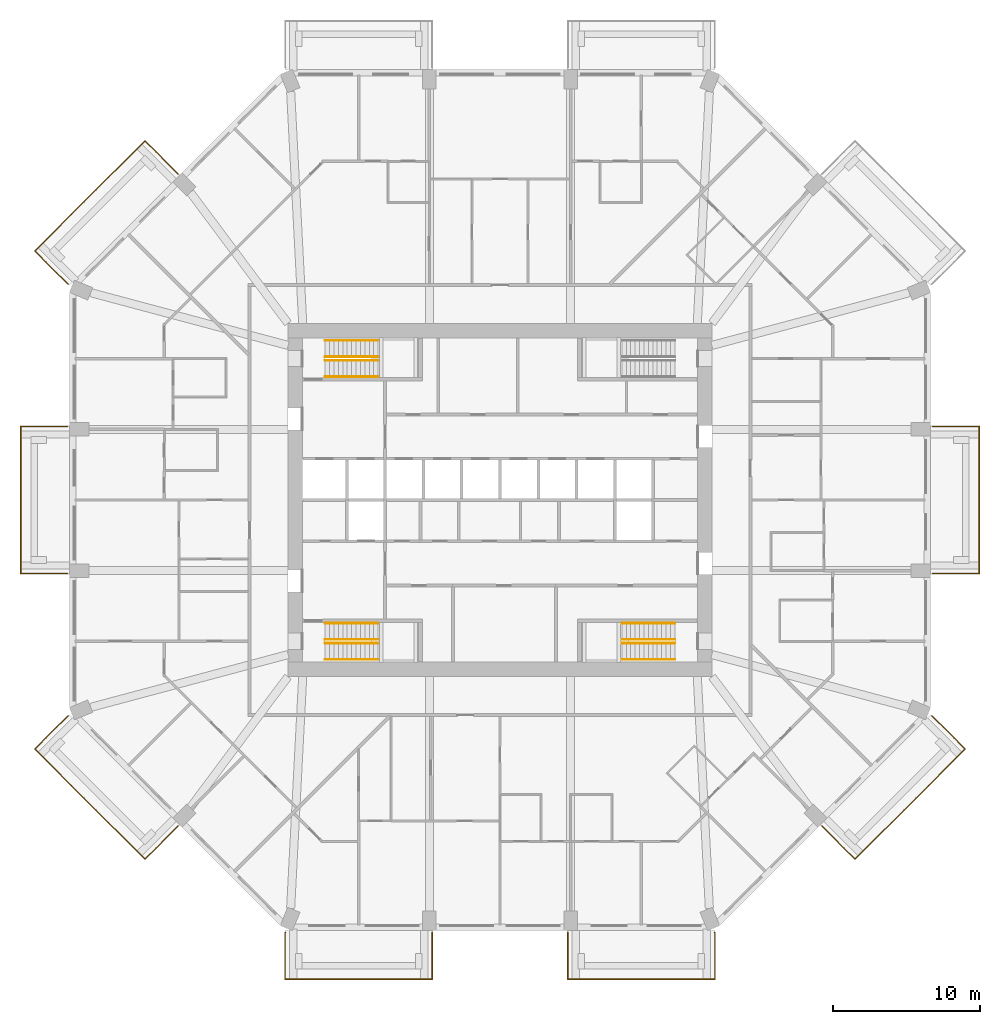
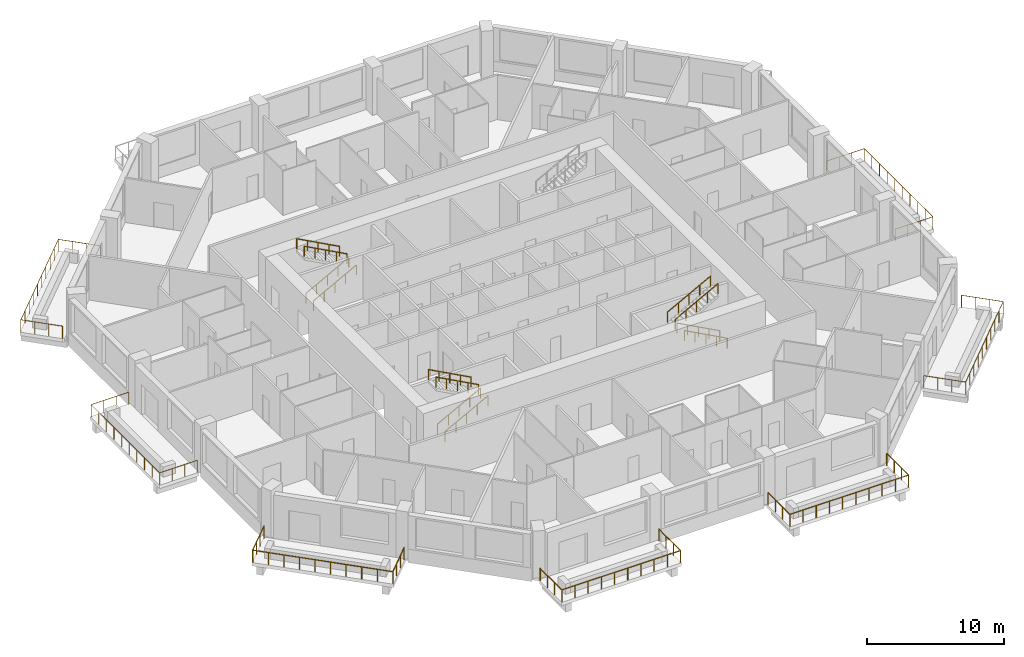
# One storey, part 12 of 13: 19 railings.
"""IFC4 building model written with IfcOpenShell, lengths in metres."""

from ifc_helpers import new_model, si_unit, direction, frame, origin, origin_2d, place, context, subcontext, project, spatial, circle, extrude, material, constituent, constituent_set, type_object, element, save


model = new_model("IFC4")

# Units and contexts
model_context = context("Model", 3, precision=1e-05, world=origin(), true_north=direction((0.0, 1.0)))
body_context = subcontext(model_context, "Body", "Model", "MODEL_VIEW")
ifc_project = project(units=[si_unit("LENGTHUNIT", "METRE"), si_unit("AREAUNIT", "SQUARE_METRE"), si_unit("VOLUMEUNIT", "CUBIC_METRE"), si_unit("PLANEANGLEUNIT", "RADIAN"), si_unit("MASSUNIT", "GRAM", prefix="KILO")], contexts=[model_context])

# Site, building, storey
site_placement = place(None, origin())
site = spatial("IfcSite", under=ifc_project, at=site_placement, CompositionType="ELEMENT")
building_placement = place(site_placement, origin())
building = spatial("IfcBuilding", under=site, at=building_placement, Name="Msitu Wima Residences", CompositionType="ELEMENT")
storey_placement = place(building_placement, frame((0.0, 0.0, 71.699951171875)))
storey = spatial("IfcBuildingStorey", under=building, at=storey_placement, Name="L16", CompositionType="ELEMENT", Elevation=71.699951171875)

# Railings
ifc_material_1 = material(Name="Steel S355", Category="steel")
ifc_constituent_1 = constituent(ifc_material_1, Name="Steel S355")
ifc_material_2 = material(Name="Weathering patina")
ifc_constituent_2 = constituent(ifc_material_2, Name="Weathering patina")
ifc_constituent_set_1 = constituent_set(constituents=[ifc_constituent_1, ifc_constituent_2], Name="Steel S355")
railing_type_1 = type_object("IfcRailingType", Name="Balcony guard GR1100", PredefinedType="GUARDRAIL", material=ifc_constituent_set_1)
railing_1_placement = place(storey_placement, frame((29.3798828125, 5.0, 0.0)))
element("IfcRailing", 1, at=railing_1_placement, inside=storey, type_object=railing_type_1, Name="Balcony guard E1 L16", PredefinedType="GUARDRAIL", context=body_context, shape_type="SweptSolid", body=[
    extrude(circle(Radius=0.02392578125, at=origin_2d()), frame((0.0, 0.0, 1.076171875), z_axis=(1.0, 0.0, 0.0), x_axis=(0.0, 1.0, 0.0)), (0.0, 0.0, 1.0), 3.170166015625),
    extrude(circle(Radius=0.02392578125, at=origin_2d()), frame((3.170166015625, 0.0, 1.076171875), z_axis=(0.0, -1.0, 0.0), x_axis=(1.0, 0.0, 0.0)), (0.0, 0.0, 1.0), 10.0),
    extrude(circle(Radius=0.02392578125, at=origin_2d()), frame((3.170166015625, -10.0, 1.076171875), z_axis=(-1.0, 0.0, 0.0), x_axis=(0.0, -1.0, 0.0)), (0.0, 0.0, 1.0), 3.170166015625),
    extrude(circle(Radius=0.02099609375, at=origin_2d()), origin(), (0.0, 0.0, 1.0), 1.052001953125),
    extrude(circle(Radius=0.02099609375, at=origin_2d()), frame((1.056640625, 0.0, 0.0)), (0.0, 0.0, 1.0), 1.052001953125),
    extrude(circle(Radius=0.02099609375, at=origin_2d()), frame((2.113525390625, 0.0, 0.0)), (0.0, 0.0, 1.0), 1.052001953125),
    extrude(circle(Radius=0.02099609375, at=origin_2d()), frame((3.170166015625, 0.0, 0.0)), (0.0, 0.0, 1.0), 1.052001953125),
    extrude(circle(Radius=0.02099609375, at=origin_2d()), frame((3.170166015625, -1.111083984375, 0.0)), (0.0, 0.0, 1.0), 1.052001953125),
    extrude(circle(Radius=0.02099609375, at=origin_2d()), frame((3.170166015625, -2.22216796875, 0.0)), (0.0, 0.0, 1.0), 1.052001953125),
    extrude(circle(Radius=0.02099609375, at=origin_2d()), frame((3.170166015625, -3.333251953125, 0.0)), (0.0, 0.0, 1.0), 1.052001953125),
    extrude(circle(Radius=0.02099609375, at=origin_2d()), frame((3.170166015625, -4.4443359375, 0.0)), (0.0, 0.0, 1.0), 1.052001953125),
    extrude(circle(Radius=0.02099609375, at=origin_2d()), frame((3.170166015625, -5.5556640625, 0.0)), (0.0, 0.0, 1.0), 1.052001953125),
    extrude(circle(Radius=0.02099609375, at=origin_2d()), frame((3.170166015625, -6.666748046875, 0.0)), (0.0, 0.0, 1.0), 1.052001953125),
    extrude(circle(Radius=0.02099609375, at=origin_2d()), frame((3.170166015625, -7.77783203125, 0.0)), (0.0, 0.0, 1.0), 1.052001953125),
    extrude(circle(Radius=0.02099609375, at=origin_2d()), frame((3.170166015625, -8.888916015625, 0.0)), (0.0, 0.0, 1.0), 1.052001953125),
    extrude(circle(Radius=0.02099609375, at=origin_2d()), frame((3.170166015625, -10.0, 0.0)), (0.0, 0.0, 1.0), 1.052001953125),
    extrude(circle(Radius=0.02099609375, at=origin_2d()), frame((2.113525390625, -10.0, 0.0)), (0.0, 0.0, 1.0), 1.052001953125),
    extrude(circle(Radius=0.02099609375, at=origin_2d()), frame((1.056640625, -10.0, 0.0)), (0.0, 0.0, 1.0), 1.052001953125),
    extrude(circle(Radius=0.02099609375, at=origin_2d()), frame((0.0, -10.0, 0.0)), (0.0, 0.0, 1.0), 1.052001953125),
])
railing_2_placement = place(storey_placement, frame((-29.341796875, 14.678466796875, 0.0)))
element("IfcRailing", 2, at=railing_2_placement, inside=storey, type_object=railing_type_1, Name="Balcony guard NW1 L16", PredefinedType="GUARDRAIL", context=body_context, shape_type="SweptSolid", body=[
    extrude(circle(Radius=0.02392578125, at=origin_2d()), frame((0.0, 0.0, 1.076171875), z_axis=(-0.923276184907, 0.384136806859, 0.0), x_axis=(-0.384136806859, -0.923276184907, 0.0)), (0.0, 0.0, 1.0), 0.0361328125),
    extrude(circle(Radius=0.02392578125, at=origin_2d()), frame((-0.033447265625, 0.013916015625, 1.076171875), z_axis=(-0.707106781187, 0.707106781187, 0.0), x_axis=(-0.707106781187, -0.707106781187, 0.0)), (0.0, 0.0, 1.0), 3.136474609375),
    extrude(circle(Radius=0.02392578125, at=origin_2d()), frame((-2.251220703125, 2.231689453125, 1.076171875), z_axis=(0.70709524572, 0.707118316465, 0.0), x_axis=(-0.707118316465, 0.70709524572, 0.0)), (0.0, 0.0, 1.0), 10.582275390625),
    extrude(circle(Radius=0.02392578125, at=origin_2d()), frame((5.2314453125, 9.714599609375, 1.076171875), z_axis=(0.707145287287, -0.707068272989, 0.0), x_axis=(0.707068272989, 0.707145287287, 0.0)), (0.0, 0.0, 1.0), 3.170166015625),
    extrude(circle(Radius=0.02099609375, at=origin_2d()), origin(), (0.0, 0.0, 1.0), 1.052001953125),
    extrude(circle(Radius=0.02099609375, at=origin_2d()), frame((-0.033447265625, 0.013916015625, 0.0)), (0.0, 0.0, 1.0), 1.052001953125),
    extrude(circle(Radius=0.02099609375, at=origin_2d()), frame((-0.772705078125, 0.753173828125, 0.0)), (0.0, 0.0, 1.0), 1.052001953125),
    extrude(circle(Radius=0.02099609375, at=origin_2d()), frame((-1.511962890625, 1.492431640625, 0.0)), (0.0, 0.0, 1.0), 1.052001953125),
    extrude(circle(Radius=0.02099609375, at=origin_2d()), frame((-2.251220703125, 2.231689453125, 0.0)), (0.0, 0.0, 1.0), 1.052001953125),
    extrude(circle(Radius=0.02099609375, at=origin_2d()), frame((-1.419921875, 3.063232421875, 0.0)), (0.0, 0.0, 1.0), 1.052001953125),
    extrude(circle(Radius=0.02099609375, at=origin_2d()), frame((-0.58837890625, 3.89453125, 0.0)), (0.0, 0.0, 1.0), 1.052001953125),
    extrude(circle(Radius=0.02099609375, at=origin_2d()), frame((0.242919921875, 4.72607421875, 0.0)), (0.0, 0.0, 1.0), 1.052001953125),
    extrude(circle(Radius=0.02099609375, at=origin_2d()), frame((1.074462890625, 5.557373046875, 0.0)), (0.0, 0.0, 1.0), 1.052001953125),
    extrude(circle(Radius=0.02099609375, at=origin_2d()), frame((1.90576171875, 6.388916015625, 0.0)), (0.0, 0.0, 1.0), 1.052001953125),
    extrude(circle(Radius=0.02099609375, at=origin_2d()), frame((2.7373046875, 7.22021484375, 0.0)), (0.0, 0.0, 1.0), 1.052001953125),
    extrude(circle(Radius=0.02099609375, at=origin_2d()), frame((3.568603515625, 8.0517578125, 0.0)), (0.0, 0.0, 1.0), 1.052001953125),
    extrude(circle(Radius=0.02099609375, at=origin_2d()), frame((4.400146484375, 8.883056640625, 0.0)), (0.0, 0.0, 1.0), 1.052001953125),
    extrude(circle(Radius=0.02099609375, at=origin_2d()), frame((5.2314453125, 9.714599609375, 0.0)), (0.0, 0.0, 1.0), 1.052001953125),
    extrude(circle(Radius=0.02099609375, at=origin_2d()), frame((5.978759765625, 8.967529296875, 0.0)), (0.0, 0.0, 1.0), 1.052001953125),
    extrude(circle(Radius=0.02099609375, at=origin_2d()), frame((6.725830078125, 8.22021484375, 0.0)), (0.0, 0.0, 1.0), 1.052001953125),
    extrude(circle(Radius=0.02099609375, at=origin_2d()), frame((7.47314453125, 7.47314453125, 0.0)), (0.0, 0.0, 1.0), 1.052001953125),
])
railing_3_placement = place(storey_placement, frame((-29.3798828125, -5.0, 0.0)))
element("IfcRailing", 3, at=railing_3_placement, inside=storey, type_object=railing_type_1, Name="Balcony guard W1 L16", PredefinedType="GUARDRAIL", context=body_context, shape_type="SweptSolid", body=[
    extrude(circle(Radius=0.02392578125, at=origin_2d()), frame((0.0, 0.0, 1.076171875), z_axis=(-1.0, 0.0, 0.0), x_axis=(0.0, -1.0, 0.0)), (0.0, 0.0, 1.0), 3.170166015625),
    extrude(circle(Radius=0.02392578125, at=origin_2d()), frame((-3.170166015625, 0.0, 1.076171875), z_axis=(0.0, 1.0, 0.0), x_axis=(-1.0, 0.0, 0.0)), (0.0, 0.0, 1.0), 10.0),
    extrude(circle(Radius=0.02392578125, at=origin_2d()), frame((-3.170166015625, 10.0, 1.076171875), z_axis=(1.0, 0.0, 0.0), x_axis=(0.0, 1.0, 0.0)), (0.0, 0.0, 1.0), 3.170166015625),
    extrude(circle(Radius=0.02099609375, at=origin_2d()), origin(), (0.0, 0.0, 1.0), 1.052001953125),
    extrude(circle(Radius=0.02099609375, at=origin_2d()), frame((-1.056640625, 0.0, 0.0)), (0.0, 0.0, 1.0), 1.052001953125),
    extrude(circle(Radius=0.02099609375, at=origin_2d()), frame((-2.113525390625, 0.0, 0.0)), (0.0, 0.0, 1.0), 1.052001953125),
    extrude(circle(Radius=0.02099609375, at=origin_2d()), frame((-3.170166015625, 0.0, 0.0)), (0.0, 0.0, 1.0), 1.052001953125),
    extrude(circle(Radius=0.02099609375, at=origin_2d()), frame((-3.170166015625, 1.111083984375, 0.0)), (0.0, 0.0, 1.0), 1.052001953125),
    extrude(circle(Radius=0.02099609375, at=origin_2d()), frame((-3.170166015625, 2.22216796875, 0.0)), (0.0, 0.0, 1.0), 1.052001953125),
    extrude(circle(Radius=0.02099609375, at=origin_2d()), frame((-3.170166015625, 3.333251953125, 0.0)), (0.0, 0.0, 1.0), 1.052001953125),
    extrude(circle(Radius=0.02099609375, at=origin_2d()), frame((-3.170166015625, 4.4443359375, 0.0)), (0.0, 0.0, 1.0), 1.052001953125),
    extrude(circle(Radius=0.02099609375, at=origin_2d()), frame((-3.170166015625, 5.5556640625, 0.0)), (0.0, 0.0, 1.0), 1.052001953125),
    extrude(circle(Radius=0.02099609375, at=origin_2d()), frame((-3.170166015625, 6.666748046875, 0.0)), (0.0, 0.0, 1.0), 1.052001953125),
    extrude(circle(Radius=0.02099609375, at=origin_2d()), frame((-3.170166015625, 7.77783203125, 0.0)), (0.0, 0.0, 1.0), 1.052001953125),
    extrude(circle(Radius=0.02099609375, at=origin_2d()), frame((-3.170166015625, 8.888916015625, 0.0)), (0.0, 0.0, 1.0), 1.052001953125),
    extrude(circle(Radius=0.02099609375, at=origin_2d()), frame((-3.170166015625, 10.0, 0.0)), (0.0, 0.0, 1.0), 1.052001953125),
    extrude(circle(Radius=0.02099609375, at=origin_2d()), frame((-2.113525390625, 10.0, 0.0)), (0.0, 0.0, 1.0), 1.052001953125),
    extrude(circle(Radius=0.02099609375, at=origin_2d()), frame((-1.056640625, 10.0, 0.0)), (0.0, 0.0, 1.0), 1.052001953125),
    extrude(circle(Radius=0.02099609375, at=origin_2d()), frame((0.0, 10.0, 0.0)), (0.0, 0.0, 1.0), 1.052001953125),
])
railing_4_placement = place(storey_placement, frame((-21.86865234375, -22.151611328125, 0.0)))
element("IfcRailing", 4, at=railing_4_placement, inside=storey, type_object=railing_type_1, Name="Balcony guard SW0 L16", PredefinedType="GUARDRAIL", context=body_context, shape_type="SweptSolid", body=[
    extrude(circle(Radius=0.02392578125, at=origin_2d()), frame((0.0, 0.0, 1.076171875), z_axis=(-0.707145287287, -0.707068272989, 0.0), x_axis=(0.707068272989, -0.707145287287, 0.0)), (0.0, 0.0, 1.0), 3.170166015625),
    extrude(circle(Radius=0.02392578125, at=origin_2d()), frame((-2.24169921875, -2.241455078125, 1.076171875), z_axis=(-0.70709524572, 0.707118316465, 0.0), x_axis=(-0.707118316465, -0.70709524572, 0.0)), (0.0, 0.0, 1.0), 10.582275390625),
    extrude(circle(Radius=0.02392578125, at=origin_2d()), frame((-9.724365234375, 5.241455078125, 1.076171875), z_axis=(0.707106781187, 0.707106781187, 0.0), x_axis=(-0.707106781187, 0.707106781187, 0.0)), (0.0, 0.0, 1.0), 3.136474609375),
    extrude(circle(Radius=0.02392578125, at=origin_2d()), frame((-7.506591796875, 7.459228515625, 1.076171875), z_axis=(0.923276184907, 0.384136806859, 0.0), x_axis=(-0.384136806859, 0.923276184907, 0.0)), (0.0, 0.0, 1.0), 0.0361328125),
    extrude(circle(Radius=0.02099609375, at=origin_2d()), origin(), (0.0, 0.0, 1.0), 1.052001953125),
    extrude(circle(Radius=0.02099609375, at=origin_2d()), frame((-0.747314453125, -0.7470703125, 0.0)), (0.0, 0.0, 1.0), 1.052001953125),
    extrude(circle(Radius=0.02099609375, at=origin_2d()), frame((-1.494384765625, -1.494384765625, 0.0)), (0.0, 0.0, 1.0), 1.052001953125),
    extrude(circle(Radius=0.02099609375, at=origin_2d()), frame((-2.24169921875, -2.241455078125, 0.0)), (0.0, 0.0, 1.0), 1.052001953125),
    extrude(circle(Radius=0.02099609375, at=origin_2d()), frame((-3.072998046875, -1.409912109375, 0.0)), (0.0, 0.0, 1.0), 1.052001953125),
    extrude(circle(Radius=0.02099609375, at=origin_2d()), frame((-3.904541015625, -0.57861328125, 0.0)), (0.0, 0.0, 1.0), 1.052001953125),
    extrude(circle(Radius=0.02099609375, at=origin_2d()), frame((-4.73583984375, 0.2529296875, 0.0)), (0.0, 0.0, 1.0), 1.052001953125),
    extrude(circle(Radius=0.02099609375, at=origin_2d()), frame((-5.5673828125, 1.084228515625, 0.0)), (0.0, 0.0, 1.0), 1.052001953125),
    extrude(circle(Radius=0.02099609375, at=origin_2d()), frame((-6.398681640625, 1.915771484375, 0.0)), (0.0, 0.0, 1.0), 1.052001953125),
    extrude(circle(Radius=0.02099609375, at=origin_2d()), frame((-7.230224609375, 2.7470703125, 0.0)), (0.0, 0.0, 1.0), 1.052001953125),
    extrude(circle(Radius=0.02099609375, at=origin_2d()), frame((-8.0615234375, 3.57861328125, 0.0)), (0.0, 0.0, 1.0), 1.052001953125),
    extrude(circle(Radius=0.02099609375, at=origin_2d()), frame((-8.89306640625, 4.409912109375, 0.0)), (0.0, 0.0, 1.0), 1.052001953125),
    extrude(circle(Radius=0.02099609375, at=origin_2d()), frame((-9.724365234375, 5.241455078125, 0.0)), (0.0, 0.0, 1.0), 1.052001953125),
    extrude(circle(Radius=0.02099609375, at=origin_2d()), frame((-8.985107421875, 5.980712890625, 0.0)), (0.0, 0.0, 1.0), 1.052001953125),
    extrude(circle(Radius=0.02099609375, at=origin_2d()), frame((-8.245849609375, 6.719970703125, 0.0)), (0.0, 0.0, 1.0), 1.052001953125),
    extrude(circle(Radius=0.02099609375, at=origin_2d()), frame((-7.506591796875, 7.459228515625, 0.0)), (0.0, 0.0, 1.0), 1.052001953125),
    extrude(circle(Radius=0.02099609375, at=origin_2d()), frame((-7.47314453125, 7.47314453125, 0.0)), (0.0, 0.0, 1.0), 1.052001953125),
])
railing_5_placement = place(storey_placement, frame((-4.60009765625, -29.3798828125, 0.0)))
element("IfcRailing", 5, at=railing_5_placement, inside=storey, type_object=railing_type_1, Name="Balcony guard S0 L16", PredefinedType="GUARDRAIL", context=body_context, shape_type="SweptSolid", body=[
    extrude(circle(Radius=0.02392578125, at=origin_2d()), frame((0.0, 0.0, 1.076171875), z_axis=(0.0, -1.0, 0.0), x_axis=(1.0, 0.0, 0.0)), (0.0, 0.0, 1.0), 3.170166015625),
    extrude(circle(Radius=0.02392578125, at=origin_2d()), frame((0.0, -3.170166015625, 1.076171875), z_axis=(-1.0, 0.0, 0.0), x_axis=(0.0, -1.0, 0.0)), (0.0, 0.0, 1.0), 10.0),
    extrude(circle(Radius=0.02392578125, at=origin_2d()), frame((-10.0, -3.170166015625, 1.076171875), z_axis=(0.0, 1.0, 0.0), x_axis=(-1.0, 0.0, 0.0)), (0.0, 0.0, 1.0), 3.136474609375),
    extrude(circle(Radius=0.02392578125, at=origin_2d()), frame((-10.0, -0.03369140625, 1.076171875), z_axis=(0.38176015442, 0.92426142649, 0.0), x_axis=(-0.92426142649, 0.38176015442, 0.0)), (0.0, 0.0, 1.0), 0.036376953125),
    extrude(circle(Radius=0.02099609375, at=origin_2d()), origin(), (0.0, 0.0, 1.0), 1.052001953125),
    extrude(circle(Radius=0.02099609375, at=origin_2d()), frame((0.0, -1.056640625, 0.0)), (0.0, 0.0, 1.0), 1.052001953125),
    extrude(circle(Radius=0.02099609375, at=origin_2d()), frame((0.0, -2.113525390625, 0.0)), (0.0, 0.0, 1.0), 1.052001953125),
    extrude(circle(Radius=0.02099609375, at=origin_2d()), frame((0.0, -3.170166015625, 0.0)), (0.0, 0.0, 1.0), 1.052001953125),
    extrude(circle(Radius=0.02099609375, at=origin_2d()), frame((-1.111083984375, -3.170166015625, 0.0)), (0.0, 0.0, 1.0), 1.052001953125),
    extrude(circle(Radius=0.02099609375, at=origin_2d()), frame((-2.22216796875, -3.170166015625, 0.0)), (0.0, 0.0, 1.0), 1.052001953125),
    extrude(circle(Radius=0.02099609375, at=origin_2d()), frame((-3.333251953125, -3.170166015625, 0.0)), (0.0, 0.0, 1.0), 1.052001953125),
    extrude(circle(Radius=0.02099609375, at=origin_2d()), frame((-4.4443359375, -3.170166015625, 0.0)), (0.0, 0.0, 1.0), 1.052001953125),
    extrude(circle(Radius=0.02099609375, at=origin_2d()), frame((-5.5556640625, -3.170166015625, 0.0)), (0.0, 0.0, 1.0), 1.052001953125),
    extrude(circle(Radius=0.02099609375, at=origin_2d()), frame((-6.666748046875, -3.170166015625, 0.0)), (0.0, 0.0, 1.0), 1.052001953125),
    extrude(circle(Radius=0.02099609375, at=origin_2d()), frame((-7.77783203125, -3.170166015625, 0.0)), (0.0, 0.0, 1.0), 1.052001953125),
    extrude(circle(Radius=0.02099609375, at=origin_2d()), frame((-8.888916015625, -3.170166015625, 0.0)), (0.0, 0.0, 1.0), 1.052001953125),
    extrude(circle(Radius=0.02099609375, at=origin_2d()), frame((-10.0, -3.170166015625, 0.0)), (0.0, 0.0, 1.0), 1.052001953125),
    extrude(circle(Radius=0.02099609375, at=origin_2d()), frame((-10.0, -2.124755859375, 0.0)), (0.0, 0.0, 1.0), 1.052001953125),
    extrude(circle(Radius=0.02099609375, at=origin_2d()), frame((-10.0, -1.0791015625, 0.0)), (0.0, 0.0, 1.0), 1.052001953125),
    extrude(circle(Radius=0.02099609375, at=origin_2d()), frame((-10.0, -0.03369140625, 0.0)), (0.0, 0.0, 1.0), 1.052001953125),
    extrude(circle(Radius=0.02099609375, at=origin_2d()), frame((-9.986083984375, 0.0, 0.0)), (0.0, 0.0, 1.0), 1.052001953125),
])
railing_6_placement = place(storey_placement, frame((14.586181640625, -29.3798828125, 0.0)))
element("IfcRailing", 6, at=railing_6_placement, inside=storey, type_object=railing_type_1, Name="Balcony guard S2 L16", PredefinedType="GUARDRAIL", context=body_context, shape_type="SweptSolid", body=[
    extrude(circle(Radius=0.02392578125, at=origin_2d()), frame((0.0, 0.0, 1.076171875), z_axis=(0.38176015442, -0.92426142649, 0.0), x_axis=(0.92426142649, 0.38176015442, 0.0)), (0.0, 0.0, 1.0), 0.036376953125),
    extrude(circle(Radius=0.02392578125, at=origin_2d()), frame((0.013916015625, -0.03369140625, 1.076171875), z_axis=(0.0, -1.0, 0.0), x_axis=(1.0, 0.0, 0.0)), (0.0, 0.0, 1.0), 3.136474609375),
    extrude(circle(Radius=0.02392578125, at=origin_2d()), frame((0.013916015625, -3.170166015625, 1.076171875), z_axis=(-1.0, 0.0, 0.0), x_axis=(0.0, -1.0, 0.0)), (0.0, 0.0, 1.0), 10.0),
    extrude(circle(Radius=0.02392578125, at=origin_2d()), frame((-9.986083984375, -3.170166015625, 1.076171875), z_axis=(0.0, 1.0, 0.0), x_axis=(-1.0, 0.0, 0.0)), (0.0, 0.0, 1.0), 3.170166015625),
    extrude(circle(Radius=0.02099609375, at=origin_2d()), origin(), (0.0, 0.0, 1.0), 1.052001953125),
    extrude(circle(Radius=0.02099609375, at=origin_2d()), frame((0.013916015625, -0.03369140625, 0.0)), (0.0, 0.0, 1.0), 1.052001953125),
    extrude(circle(Radius=0.02099609375, at=origin_2d()), frame((0.013916015625, -1.0791015625, 0.0)), (0.0, 0.0, 1.0), 1.052001953125),
    extrude(circle(Radius=0.02099609375, at=origin_2d()), frame((0.013916015625, -2.124755859375, 0.0)), (0.0, 0.0, 1.0), 1.052001953125),
    extrude(circle(Radius=0.02099609375, at=origin_2d()), frame((0.013916015625, -3.170166015625, 0.0)), (0.0, 0.0, 1.0), 1.052001953125),
    extrude(circle(Radius=0.02099609375, at=origin_2d()), frame((-1.09716796875, -3.170166015625, 0.0)), (0.0, 0.0, 1.0), 1.052001953125),
    extrude(circle(Radius=0.02099609375, at=origin_2d()), frame((-2.208251953125, -3.170166015625, 0.0)), (0.0, 0.0, 1.0), 1.052001953125),
    extrude(circle(Radius=0.02099609375, at=origin_2d()), frame((-3.3193359375, -3.170166015625, 0.0)), (0.0, 0.0, 1.0), 1.052001953125),
    extrude(circle(Radius=0.02099609375, at=origin_2d()), frame((-4.430419921875, -3.170166015625, 0.0)), (0.0, 0.0, 1.0), 1.052001953125),
    extrude(circle(Radius=0.02099609375, at=origin_2d()), frame((-5.541748046875, -3.170166015625, 0.0)), (0.0, 0.0, 1.0), 1.052001953125),
    extrude(circle(Radius=0.02099609375, at=origin_2d()), frame((-6.65283203125, -3.170166015625, 0.0)), (0.0, 0.0, 1.0), 1.052001953125),
    extrude(circle(Radius=0.02099609375, at=origin_2d()), frame((-7.763916015625, -3.170166015625, 0.0)), (0.0, 0.0, 1.0), 1.052001953125),
    extrude(circle(Radius=0.02099609375, at=origin_2d()), frame((-8.875, -3.170166015625, 0.0)), (0.0, 0.0, 1.0), 1.052001953125),
    extrude(circle(Radius=0.02099609375, at=origin_2d()), frame((-9.986083984375, -3.170166015625, 0.0)), (0.0, 0.0, 1.0), 1.052001953125),
    extrude(circle(Radius=0.02099609375, at=origin_2d()), frame((-9.986083984375, -2.113525390625, 0.0)), (0.0, 0.0, 1.0), 1.052001953125),
    extrude(circle(Radius=0.02099609375, at=origin_2d()), frame((-9.986083984375, -1.056640625, 0.0)), (0.0, 0.0, 1.0), 1.052001953125),
    extrude(circle(Radius=0.02099609375, at=origin_2d()), frame((-9.986083984375, 0.0, 0.0)), (0.0, 0.0, 1.0), 1.052001953125),
])
railing_7_placement = place(storey_placement, frame((29.341796875, -14.678466796875, 0.0)))
element("IfcRailing", 7, at=railing_7_placement, inside=storey, type_object=railing_type_1, Name="Balcony guard SE1 L16", PredefinedType="GUARDRAIL", context=body_context, shape_type="SweptSolid", body=[
    extrude(circle(Radius=0.02392578125, at=origin_2d()), frame((0.0, 0.0, 1.076171875), z_axis=(0.923276184907, -0.384136806859, 0.0), x_axis=(0.384136806859, 0.923276184907, 0.0)), (0.0, 0.0, 1.0), 0.0361328125),
    extrude(circle(Radius=0.02392578125, at=origin_2d()), frame((0.033447265625, -0.013916015625, 1.076171875), z_axis=(0.707106781187, -0.707106781187, 0.0), x_axis=(0.707106781187, 0.707106781187, 0.0)), (0.0, 0.0, 1.0), 3.136474609375),
    extrude(circle(Radius=0.02392578125, at=origin_2d()), frame((2.251220703125, -2.231689453125, 1.076171875), z_axis=(-0.70709524572, -0.707118316465, 0.0), x_axis=(0.707118316465, -0.70709524572, 0.0)), (0.0, 0.0, 1.0), 10.582275390625),
    extrude(circle(Radius=0.02392578125, at=origin_2d()), frame((-5.2314453125, -9.714599609375, 1.076171875), z_axis=(-0.707145287287, 0.707068272989, 0.0), x_axis=(-0.707068272989, -0.707145287287, 0.0)), (0.0, 0.0, 1.0), 3.170166015625),
    extrude(circle(Radius=0.02099609375, at=origin_2d()), origin(), (0.0, 0.0, 1.0), 1.052001953125),
    extrude(circle(Radius=0.02099609375, at=origin_2d()), frame((0.033447265625, -0.013916015625, 0.0)), (0.0, 0.0, 1.0), 1.052001953125),
    extrude(circle(Radius=0.02099609375, at=origin_2d()), frame((0.772705078125, -0.753173828125, 0.0)), (0.0, 0.0, 1.0), 1.052001953125),
    extrude(circle(Radius=0.02099609375, at=origin_2d()), frame((1.511962890625, -1.492431640625, 0.0)), (0.0, 0.0, 1.0), 1.052001953125),
    extrude(circle(Radius=0.02099609375, at=origin_2d()), frame((2.251220703125, -2.231689453125, 0.0)), (0.0, 0.0, 1.0), 1.052001953125),
    extrude(circle(Radius=0.02099609375, at=origin_2d()), frame((1.419921875, -3.063232421875, 0.0)), (0.0, 0.0, 1.0), 1.052001953125),
    extrude(circle(Radius=0.02099609375, at=origin_2d()), frame((0.58837890625, -3.89453125, 0.0)), (0.0, 0.0, 1.0), 1.052001953125),
    extrude(circle(Radius=0.02099609375, at=origin_2d()), frame((-0.242919921875, -4.72607421875, 0.0)), (0.0, 0.0, 1.0), 1.052001953125),
    extrude(circle(Radius=0.02099609375, at=origin_2d()), frame((-1.074462890625, -5.557373046875, 0.0)), (0.0, 0.0, 1.0), 1.052001953125),
    extrude(circle(Radius=0.02099609375, at=origin_2d()), frame((-1.90576171875, -6.388916015625, 0.0)), (0.0, 0.0, 1.0), 1.052001953125),
    extrude(circle(Radius=0.02099609375, at=origin_2d()), frame((-2.7373046875, -7.22021484375, 0.0)), (0.0, 0.0, 1.0), 1.052001953125),
    extrude(circle(Radius=0.02099609375, at=origin_2d()), frame((-3.568603515625, -8.0517578125, 0.0)), (0.0, 0.0, 1.0), 1.052001953125),
    extrude(circle(Radius=0.02099609375, at=origin_2d()), frame((-4.400146484375, -8.883056640625, 0.0)), (0.0, 0.0, 1.0), 1.052001953125),
    extrude(circle(Radius=0.02099609375, at=origin_2d()), frame((-5.2314453125, -9.714599609375, 0.0)), (0.0, 0.0, 1.0), 1.052001953125),
    extrude(circle(Radius=0.02099609375, at=origin_2d()), frame((-5.978759765625, -8.967529296875, 0.0)), (0.0, 0.0, 1.0), 1.052001953125),
    extrude(circle(Radius=0.02099609375, at=origin_2d()), frame((-6.725830078125, -8.22021484375, 0.0)), (0.0, 0.0, 1.0), 1.052001953125),
    extrude(circle(Radius=0.02099609375, at=origin_2d()), frame((-7.47314453125, -7.47314453125, 0.0)), (0.0, 0.0, 1.0), 1.052001953125),
])
ifc_constituent_3 = constituent(ifc_material_1, Name="Steel S355")
ifc_material_3 = material(Name="Black powder coating")
ifc_constituent_4 = constituent(ifc_material_3, Name="Black powder coating")
ifc_constituent_set_2 = constituent_set(constituents=[ifc_constituent_3, ifc_constituent_4], Name="Steel S355")
railing_type_2 = type_object("IfcRailingType", Name="Stair handrail HR1", PredefinedType="HANDRAIL", material=ifc_constituent_set_2)
for number, where, name in (
    (8, (-11.875, 8.375, 0.16162109375), "Stair 1 handrail"),
    (9, (-11.875, 9.47509765625, 0.16162109375), "Stair 1 handrail"),
):
    element("IfcRailing", number, at=place(storey_placement, frame(where)), inside=storey, type_object=railing_type_2, Name=name, PredefinedType="HANDRAIL", context=body_context, shape_type="SweptSolid", body=[
        extrude(circle(Radius=0.02392578125, at=origin_2d()), frame((0.0, 0.0, 0.8759765625), z_axis=(0.880474934443, 0.0, 0.474092701714), x_axis=(0.0, 1.0, 0.0)), (0.0, 0.0, 1.0), 4.0888671875),
        extrude(circle(Radius=0.02099609375, at=origin_2d()), origin(), (0.0, 0.0, 1.0), 0.851806640625),
        extrude(circle(Radius=0.02099609375, at=origin_2d()), frame((0.89990234375, 0.0, 0.484619140625)), (0.0, 0.0, 1.0), 0.851806640625),
        extrude(circle(Radius=0.02099609375, at=origin_2d()), frame((1.800048828125, 0.0, 0.96923828125)), (0.0, 0.0, 1.0), 0.851806640625),
        extrude(circle(Radius=0.02099609375, at=origin_2d()), frame((2.7001953125, 0.0, 1.453857421875)), (0.0, 0.0, 1.0), 0.851806640625),
        extrude(circle(Radius=0.02099609375, at=origin_2d()), frame((3.60009765625, 0.0, 1.9384765625)), (0.0, 0.0, 1.0), 0.851806640625),
    ])
for number, where, name in (
    (10, (-8.27490234375, 9.72509765625, 2.261474609375), "Stair 1 handrail"),
    (11, (-8.27490234375, 10.824951171875, 2.261474609375), "Stair 1 handrail"),
):
    element("IfcRailing", number, at=place(storey_placement, frame(where)), inside=storey, type_object=railing_type_2, Name=name, PredefinedType="HANDRAIL", context=body_context, shape_type="SweptSolid", body=[
        extrude(circle(Radius=0.02392578125, at=origin_2d()), frame((0.0, 0.0, 0.8759765625), z_axis=(-0.880474934443, 0.0, 0.474092701714), x_axis=(0.0, -1.0, 0.0)), (0.0, 0.0, 1.0), 4.0888671875),
        extrude(circle(Radius=0.02099609375, at=origin_2d()), origin(), (0.0, 0.0, 1.0), 0.851806640625),
        extrude(circle(Radius=0.02099609375, at=origin_2d()), frame((-0.89990234375, 0.0, 0.484619140625)), (0.0, 0.0, 1.0), 0.851806640625),
        extrude(circle(Radius=0.02099609375, at=origin_2d()), frame((-1.800048828125, 0.0, 0.96923828125)), (0.0, 0.0, 1.0), 0.851806640625),
        extrude(circle(Radius=0.02099609375, at=origin_2d()), frame((-2.7001953125, 0.0, 1.453857421875)), (0.0, 0.0, 1.0), 0.851806640625),
        extrude(circle(Radius=0.02099609375, at=origin_2d()), frame((-3.60009765625, 0.0, 1.9384765625)), (0.0, 0.0, 1.0), 0.851806640625),
    ])
for number, where, name in (
    (12, (-11.875, -10.824951171875, 0.16162109375), "Stair 2 handrail"),
    (13, (-11.875, -9.72509765625, 0.16162109375), "Stair 2 handrail"),
):
    element("IfcRailing", number, at=place(storey_placement, frame(where)), inside=storey, type_object=railing_type_2, Name=name, PredefinedType="HANDRAIL", context=body_context, shape_type="SweptSolid", body=[
        extrude(circle(Radius=0.02392578125, at=origin_2d()), frame((0.0, 0.0, 0.8759765625), z_axis=(0.880474934443, 0.0, 0.474092701714), x_axis=(0.0, 1.0, 0.0)), (0.0, 0.0, 1.0), 4.0888671875),
        extrude(circle(Radius=0.02099609375, at=origin_2d()), origin(), (0.0, 0.0, 1.0), 0.851806640625),
        extrude(circle(Radius=0.02099609375, at=origin_2d()), frame((0.89990234375, 0.0, 0.484619140625)), (0.0, 0.0, 1.0), 0.851806640625),
        extrude(circle(Radius=0.02099609375, at=origin_2d()), frame((1.800048828125, 0.0, 0.96923828125)), (0.0, 0.0, 1.0), 0.851806640625),
        extrude(circle(Radius=0.02099609375, at=origin_2d()), frame((2.7001953125, 0.0, 1.453857421875)), (0.0, 0.0, 1.0), 0.851806640625),
        extrude(circle(Radius=0.02099609375, at=origin_2d()), frame((3.60009765625, 0.0, 1.9384765625)), (0.0, 0.0, 1.0), 0.851806640625),
    ])
for number, where, name in (
    (14, (-8.27490234375, -9.47509765625, 2.261474609375), "Stair 2 handrail"),
    (15, (-8.27490234375, -8.375, 2.261474609375), "Stair 2 handrail"),
    (16, (11.875, -10.824951171875, 0.16162109375), "Stair 4 handrail"),
    (17, (11.875, -9.72509765625, 0.16162109375), "Stair 4 handrail"),
):
    element("IfcRailing", number, at=place(storey_placement, frame(where)), inside=storey, type_object=railing_type_2, Name=name, PredefinedType="HANDRAIL", context=body_context, shape_type="SweptSolid", body=[
        extrude(circle(Radius=0.02392578125, at=origin_2d()), frame((0.0, 0.0, 0.8759765625), z_axis=(-0.880474934443, 0.0, 0.474092701714), x_axis=(0.0, -1.0, 0.0)), (0.0, 0.0, 1.0), 4.0888671875),
        extrude(circle(Radius=0.02099609375, at=origin_2d()), origin(), (0.0, 0.0, 1.0), 0.851806640625),
        extrude(circle(Radius=0.02099609375, at=origin_2d()), frame((-0.89990234375, 0.0, 0.484619140625)), (0.0, 0.0, 1.0), 0.851806640625),
        extrude(circle(Radius=0.02099609375, at=origin_2d()), frame((-1.800048828125, 0.0, 0.96923828125)), (0.0, 0.0, 1.0), 0.851806640625),
        extrude(circle(Radius=0.02099609375, at=origin_2d()), frame((-2.7001953125, 0.0, 1.453857421875)), (0.0, 0.0, 1.0), 0.851806640625),
        extrude(circle(Radius=0.02099609375, at=origin_2d()), frame((-3.60009765625, 0.0, 1.9384765625)), (0.0, 0.0, 1.0), 0.851806640625),
    ])
for number, where, name in (
    (18, (8.27490234375, -9.47509765625, 2.261474609375), "Stair 4 handrail"),
    (19, (8.27490234375, -8.375, 2.261474609375), "Stair 4 handrail"),
):
    element("IfcRailing", number, at=place(storey_placement, frame(where)), inside=storey, type_object=railing_type_2, Name=name, PredefinedType="HANDRAIL", context=body_context, shape_type="SweptSolid", body=[
        extrude(circle(Radius=0.02392578125, at=origin_2d()), frame((0.0, 0.0, 0.8759765625), z_axis=(0.880474934443, 0.0, 0.474092701714), x_axis=(0.0, 1.0, 0.0)), (0.0, 0.0, 1.0), 4.0888671875),
        extrude(circle(Radius=0.02099609375, at=origin_2d()), origin(), (0.0, 0.0, 1.0), 0.851806640625),
        extrude(circle(Radius=0.02099609375, at=origin_2d()), frame((0.89990234375, 0.0, 0.484619140625)), (0.0, 0.0, 1.0), 0.851806640625),
        extrude(circle(Radius=0.02099609375, at=origin_2d()), frame((1.800048828125, 0.0, 0.96923828125)), (0.0, 0.0, 1.0), 0.851806640625),
        extrude(circle(Radius=0.02099609375, at=origin_2d()), frame((2.7001953125, 0.0, 1.453857421875)), (0.0, 0.0, 1.0), 0.851806640625),
        extrude(circle(Radius=0.02099609375, at=origin_2d()), frame((3.60009765625, 0.0, 1.9384765625)), (0.0, 0.0, 1.0), 0.851806640625),
    ])

save(model, "model.ifc")
